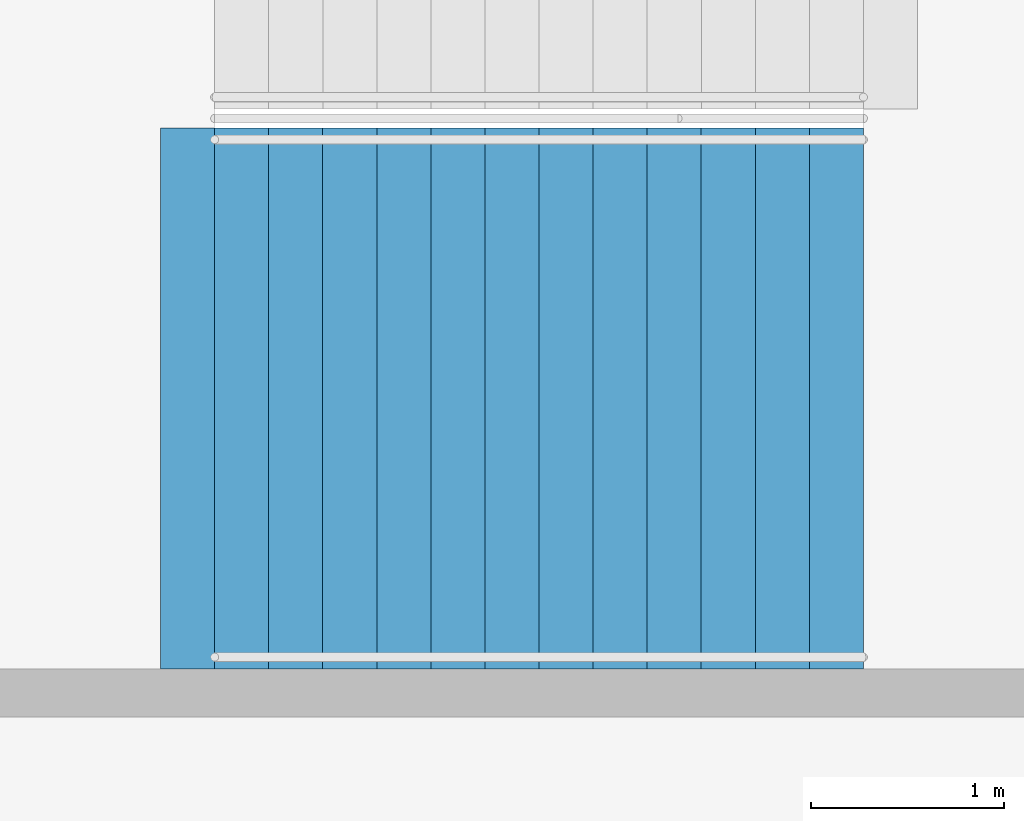
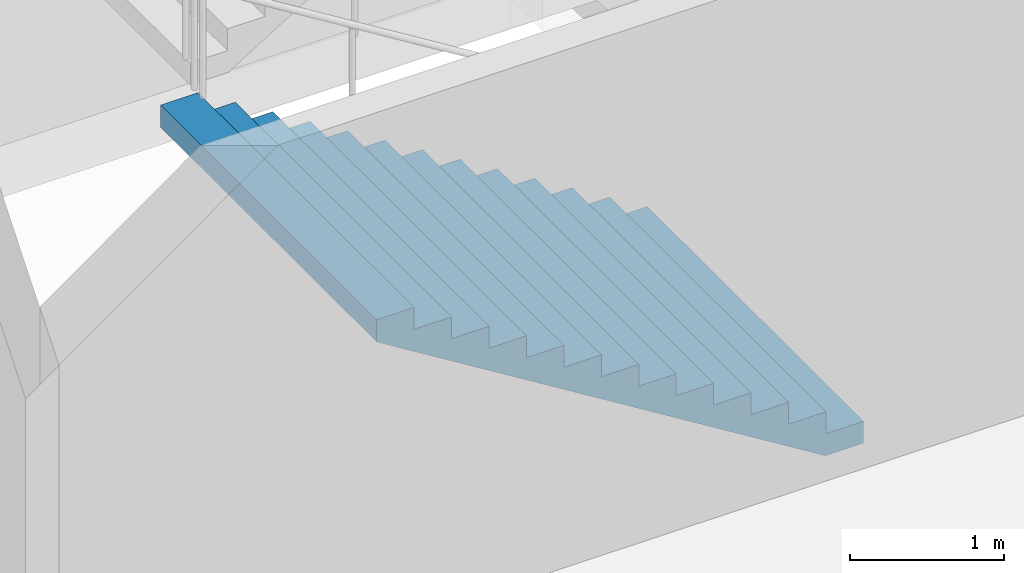
# One storey, part 127 of 199: 1 stair flight, 1 element without a shape of its own.
"""IFC4 building model written with IfcOpenShell, lengths in metres."""

import ifcopenshell
import ifcopenshell.guid

model = None  # the IFC model being written
_history = None  # IfcOwnerHistory: only IFC2X3 demands one
_inside = {}  # id of a spatial element -> (the spatial element, [elements in it])
_under = {}  # id of a project, library or spatial element -> (it, [spatial elements below it])
_declared = {}  # id of a project -> (the project, [libraries it declares])
_typed = {}  # id of a type object -> (the type object, [elements of that type])
_made_of = {}  # id of a material, layer set ... -> (it, [elements and type objects made of it])


def new_model(schema):
    """Start an empty IFC model of exactly this schema.

    Asked for "IFC4X3", IfcOpenShell would pick the latest addendum, in which some entities
    have other attributes; the version numbers below select the first issue.
    IFC2X3 requires an IfcOwnerHistory on every rooted entity: one is made here for all.
    """
    global model, _history
    if schema == "IFC4X3":
        model = ifcopenshell.file(schema_version=(4, 3, 0, 0))
    else:
        model = ifcopenshell.file(schema=schema)
    _inside.clear()
    _under.clear()
    _declared.clear()
    _typed.clear()
    _made_of.clear()
    _history = None
    if model.schema == "IFC2X3":
        org = make("IfcOrganization", Name="unknown")
        user = make(
            "IfcPersonAndOrganization",
            ThePerson=make("IfcPerson", FamilyName="unknown"),
            TheOrganization=org,
        )
        app = make(
            "IfcApplication",
            ApplicationDeveloper=org,
            Version="unknown",
            ApplicationFullName="unknown",
            ApplicationIdentifier="unknown",
        )
        _history = make(
            "IfcOwnerHistory",
            OwningUser=user,
            OwningApplication=app,
            ChangeAction="ADDED",
            CreationDate=0,
        )
    return model


def make(cls, **values):
    """One entity of the class cls with the attributes given. An attribute that is None is left unset."""
    return model.create_entity(
        cls, **{name: value for name, value in values.items() if value is not None}
    )


def rooted(cls, **values):
    """An entity with a GlobalId (a new one), such as an element, a storey or a relation."""
    return make(cls, GlobalId=ifcopenshell.guid.new(), OwnerHistory=_history, **values)


def si_unit(unit_type, name, prefix=None):
    """IfcSIUnit, for example si_unit("LENGTHUNIT", "METRE", prefix="MILLI")."""
    return make("IfcSIUnit", UnitType=unit_type, Prefix=prefix, Name=name)


def assignment(units):
    """IfcUnitAssignment: the units of a project."""
    return None if units is None else make("IfcUnitAssignment", Units=units)


def point(xyz):
    """IfcCartesianPoint."""
    return None if xyz is None else make("IfcCartesianPoint", Coordinates=xyz)


def direction(xyz):
    """IfcDirection."""
    return None if xyz is None else make("IfcDirection", DirectionRatios=xyz)


def frame(location, z_axis=None, x_axis=None):
    """IfcAxis2Placement3D, a coordinate frame: its origin and axes. An axis left out is left unset."""
    return make(
        "IfcAxis2Placement3D",
        Location=point(location),
        Axis=direction(z_axis),
        RefDirection=direction(x_axis),
    )


def origin():
    """The frame at (0, 0, 0) with its axes left unset."""
    return frame((0.0, 0.0, 0.0))


def place(relative_to, where):
    """IfcLocalPlacement: puts the frame where relative to a parent placement (None: the world)."""
    return make(
        "IfcLocalPlacement", PlacementRelTo=relative_to, RelativePlacement=where
    )


def context(
    kind, dimensions, precision=None, world=None, true_north=None, identifier=None
):
    """IfcGeometricRepresentationContext, for example the 3D "Model" context."""
    return make(
        "IfcGeometricRepresentationContext",
        ContextIdentifier=identifier,
        ContextType=kind,
        CoordinateSpaceDimension=dimensions,
        Precision=precision,
        WorldCoordinateSystem=world,
        TrueNorth=true_north,
    )


def subcontext(parent, identifier, kind, view, scale=None):
    """IfcGeometricRepresentationSubContext, for example "Body" below "Model"."""
    return make(
        "IfcGeometricRepresentationSubContext",
        ContextIdentifier=identifier,
        ContextType=kind,
        ParentContext=parent,
        TargetScale=scale,
        TargetView=view,
    )


def project(units=None, contexts=None):
    """IfcProject with its units and contexts."""
    return rooted(
        "IfcProject",
        Name="project",
        RepresentationContexts=contexts,
        UnitsInContext=assignment(units),
    )


def spatial(cls, under=None, at=None, **own):
    """A site, building, storey or space (cls), placed at a placement, below another one or the project."""
    s = rooted(cls, ObjectPlacement=at, **own)
    if under is not None:
        _under.setdefault(under.id(), (under, []))[1].append(s)
    return s


def faces_of(points, faces, orient=None, outer=None):
    """IfcFace entities. A face is a list of loops; a loop is a list of indices into points, from 0.

    orient and outer hold one flag for each loop. By default every Orientation is true, the
    first loop of a face is its IfcFaceOuterBound and the others are IfcFaceBound.
    """
    made = []
    for i, loops in enumerate(faces):
        bounds = []
        for j, loop in enumerate(loops):
            is_outer = j == 0 if outer is None else outer[i][j]
            bounds.append(
                make(
                    "IfcFaceOuterBound" if is_outer else "IfcFaceBound",
                    Bound=make("IfcPolyLoop", Polygon=[points[k] for k in loop]),
                    Orientation=True if orient is None else orient[i][j],
                )
            )
        made.append(make("IfcFace", Bounds=bounds))
    return made


def faceted_brep(points, faces, orient=None, outer=None, voids=None):
    """IfcFacetedBrep: a solid bounded by flat faces; with voids (closed shells), ...WithVoids."""
    shared = [point(p) for p in points]
    hull = make("IfcClosedShell", CfsFaces=faces_of(shared, faces, orient, outer))
    if voids is None:
        return make("IfcFacetedBrep", Outer=hull)
    return make(
        "IfcFacetedBrepWithVoids",
        Outer=hull,
        Voids=[
            make(cls, CfsFaces=faces_of(shared, fs, o, b)) for cls, fs, o, b in voids
        ],
    )


def shape(context_of_items, identifier, shape_type, items):
    """IfcShapeRepresentation: the items that make up one representation, for example the "Body"."""
    return make(
        "IfcShapeRepresentation",
        ContextOfItems=context_of_items,
        RepresentationIdentifier=identifier,
        RepresentationType=shape_type,
        Items=items,
    )


def material(Name=None, Category=None):
    """IfcMaterial."""
    return make("IfcMaterial", Name=Name, Category=Category)


def made_of(thing, what):
    """Note that an element or type object is made of a material, layer set ...; save() writes the relation."""
    if what is not None:
        _made_of.setdefault(what.id(), (what, []))[1].append(thing)
    return thing


def type_object(cls, material=None, **own):
    """A type object (cls), such as IfcWallType, which elements share."""
    return made_of(rooted(cls, **own), material)


def element(
    cls,
    number,
    at=None,
    inside=None,
    cuts=None,
    type_object=None,
    material=None,
    context=None,
    identifier="Body",
    shape_type=None,
    held_by="IfcProductDefinitionShape",
    body=None,
    shapes=None,
    **own,
):
    """One element of the class cls, such as IfcWall. Its Tag is "e" and its number.

    at: its placement. inside: the storey or other place that contains it. cuts: it is an
    opening in that element (IfcRelVoidsElement). A single representation is given by context,
    identifier, shape_type and body (its items); several are given by shapes. held_by: the class
    of the entity that holds the representations. save() writes the other relations.
    """
    e = rooted(cls, Tag="e%d" % number, ObjectPlacement=at, **own)
    if body is not None:
        shapes = [shape(context, identifier, shape_type, body)]
    if shapes is not None:
        e.Representation = make(held_by, Representations=shapes)
    if inside is not None:
        _inside.setdefault(inside.id(), (inside, []))[1].append(e)
    if cuts is not None:
        rooted(
            "IfcRelVoidsElement", RelatingBuildingElement=cuts, RelatedOpeningElement=e
        )
    if type_object is not None:
        _typed.setdefault(type_object.id(), (type_object, []))[1].append(e)
    return made_of(e, material)


def aggregate(whole, parts):
    """IfcRelAggregates: a whole, such as a stair, and the parts it consists of."""
    return rooted("IfcRelAggregates", RelatingObject=whole, RelatedObjects=parts)


def save(model, path):
    """Write the relations noted so far, then the file.

    IfcRelAggregates (storeys below a building ...), IfcRelContainedInSpatialStructure (elements
    in a storey), IfcRelDefinesByType, IfcRelAssociatesMaterial and IfcRelDeclares: one each for
    every whole, place, type object, material and project.
    """
    for whole, parts in _under.values():
        aggregate(whole, parts)
    for where, things in _inside.values():
        rooted(
            "IfcRelContainedInSpatialStructure",
            RelatedElements=things,
            RelatingStructure=where,
        )
    for kind, things in _typed.values():
        rooted("IfcRelDefinesByType", RelatedObjects=things, RelatingType=kind)
    for what, things in _made_of.values():
        rooted("IfcRelAssociatesMaterial", RelatedObjects=things, RelatingMaterial=what)
    for by, libraries in _declared.values():
        rooted("IfcRelDeclares", RelatingContext=by, RelatedDefinitions=libraries)
    model.write(path)


model = new_model("IFC4")

# Units and contexts
model_context = context("Model", 3, precision=1e-05, world=origin(), true_north=direction((0.0, 1.0)))
body_context = subcontext(model_context, "Body", "Model", "MODEL_VIEW")
ifc_project = project(units=[si_unit("LENGTHUNIT", "METRE"), si_unit("AREAUNIT", "SQUARE_METRE"), si_unit("VOLUMEUNIT", "CUBIC_METRE"), si_unit("PLANEANGLEUNIT", "RADIAN"), si_unit("MASSUNIT", "GRAM", prefix="KILO")], contexts=[model_context])

# Site, building, storey
site_placement = place(None, origin())
site = spatial("IfcSite", under=ifc_project, at=site_placement, CompositionType="ELEMENT")
building_placement = place(site_placement, origin())
building = spatial("IfcBuilding", under=site, at=building_placement, Name="Ogive Plaza Stadium", CompositionType="ELEMENT")
storey_placement = place(building_placement, frame((0.0, 0.0, 9.0)))
storey = spatial("IfcBuildingStorey", under=building, at=storey_placement, Name="L02", CompositionType="ELEMENT", Elevation=9.0)

# Stair, stair flight
ifc_material_1 = material(Name="Concrete C40/50", Category="concrete")
stair_type = type_object("IfcStairType", Name="Exit stair", PredefinedType="STRAIGHT_RUN_STAIR", material=ifc_material_1)
stair_placement = place(storey_placement, origin())
stair = element("IfcStair", 1, at=stair_placement, inside=storey, type_object=stair_type, Name="Exit stair ST24B L02 to L03", PredefinedType="STRAIGHT_RUN_STAIR")
ifc_material_2 = material(Name="Concrete C40/50", Category="concrete")
stair_flight_type = type_object("IfcStairFlightType", Name="Exit stair flight", PredefinedType="STRAIGHT", material=ifc_material_2)
stair_flight_placement = place(storey_placement, frame((-76.35009765625, -11.925048828125, 0.0), z_axis=(0.0, 0.0, 1.0), x_axis=(-1.0, 0.0, 0.0)))
stair_flight = element("IfcStairFlight", 2, at=stair_flight_placement, type_object=stair_flight_type, Name="ST24B flight 1", NumberOfRisers=13, NumberOfTreads=12, PredefinedType="STRAIGHT", RiserHeight=0.173076923, TreadLength=0.28, context=body_context, shape_type="Brep", body=[
    faceted_brep([(0.28515625, -1.39990234375, 0.0), (3.639892578125, -1.39990234375, 2.07373046875), (3.639892578125, -1.39990234375, 2.25), (3.360107421875, -1.39990234375, 2.25), (3.360107421875, -1.39990234375, 2.076904296875), (3.080078125, -1.39990234375, 2.076904296875), (3.080078125, -1.39990234375, 1.90380859375), (2.800048828125, -1.39990234375, 1.90380859375), (2.800048828125, -1.39990234375, 1.730712890625), (2.52001953125, -1.39990234375, 1.730712890625), (2.52001953125, -1.39990234375, 1.5576171875), (2.239990234375, -1.39990234375, 1.5576171875), (2.239990234375, -1.39990234375, 1.384521484375), (1.9599609375, -1.39990234375, 1.384521484375), (1.9599609375, -1.39990234375, 1.21142578125), (1.679931640625, -1.39990234375, 1.21142578125), (1.679931640625, -1.39990234375, 1.03857421875), (1.39990234375, -1.39990234375, 1.03857421875), (1.39990234375, -1.39990234375, 0.865478515625), (1.1201171875, -1.39990234375, 0.865478515625), (1.1201171875, -1.39990234375, 0.6923828125), (0.840087890625, -1.39990234375, 0.6923828125), (0.840087890625, -1.39990234375, 0.519287109375), (0.56005859375, -1.39990234375, 0.519287109375), (0.56005859375, -1.39990234375, 0.34619140625), (0.280029296875, -1.39990234375, 0.34619140625), (0.280029296875, -1.39990234375, 0.173095703125), (0.0, -1.39990234375, 0.173095703125), (0.0, -1.39990234375, 0.0), (0.0, 1.39990234375, 0.0), (0.0, 1.39990234375, 0.173095703125), (0.280029296875, 1.39990234375, 0.173095703125), (0.280029296875, 1.39990234375, 0.34619140625), (0.56005859375, 1.39990234375, 0.34619140625), (0.56005859375, 1.39990234375, 0.519287109375), (0.840087890625, 1.39990234375, 0.519287109375), (0.840087890625, 1.39990234375, 0.6923828125), (1.1201171875, 1.39990234375, 0.6923828125), (1.1201171875, 1.39990234375, 0.865478515625), (1.39990234375, 1.39990234375, 0.865478515625), (1.39990234375, 1.39990234375, 1.03857421875), (1.679931640625, 1.39990234375, 1.03857421875), (1.679931640625, 1.39990234375, 1.21142578125), (1.9599609375, 1.39990234375, 1.21142578125), (1.9599609375, 1.39990234375, 1.384521484375), (2.239990234375, 1.39990234375, 1.384521484375), (2.239990234375, 1.39990234375, 1.5576171875), (2.52001953125, 1.39990234375, 1.5576171875), (2.52001953125, 1.39990234375, 1.730712890625), (2.800048828125, 1.39990234375, 1.730712890625), (2.800048828125, 1.39990234375, 1.90380859375), (3.080078125, 1.39990234375, 1.90380859375), (3.080078125, 1.39990234375, 2.076904296875), (3.360107421875, 1.39990234375, 2.076904296875), (3.360107421875, 1.39990234375, 2.25), (3.639892578125, 1.39990234375, 2.25), (3.639892578125, 1.39990234375, 2.07373046875), (0.28515625, 1.39990234375, 0.0), (0.28515625, -1.0888671875, 0.0), (3.639892578125, -1.0888671875, 2.07373046875), (0.28515625, -0.77783203125, 0.0), (3.639892578125, -0.77783203125, 2.07373046875), (0.28515625, -0.466796875, 0.0), (3.639892578125, -0.466796875, 2.07373046875), (0.28515625, -0.155517578125, 0.0), (3.639892578125, -0.155517578125, 2.07373046875), (0.28515625, 0.155517578125, 0.0), (3.639892578125, 0.155517578125, 2.07373046875), (0.28515625, 0.466796875, 0.0), (3.639892578125, 0.466796875, 2.07373046875), (0.28515625, 0.77783203125, 0.0), (3.639892578125, 0.77783203125, 2.07373046875), (0.28515625, 1.0888671875, 0.0), (3.639892578125, 1.0888671875, 2.07373046875), (3.639892578125, -1.0888671875, 2.25), (3.639892578125, -0.77783203125, 2.25), (3.639892578125, -0.466796875, 2.25), (3.639892578125, -0.155517578125, 2.25), (3.639892578125, 0.155517578125, 2.25), (3.639892578125, 0.466796875, 2.25), (3.639892578125, 0.77783203125, 2.25), (3.639892578125, 1.0888671875, 2.25), (3.360107421875, -1.0888671875, 2.25), (3.360107421875, -0.77783203125, 2.25), (3.360107421875, -0.466796875, 2.25), (3.360107421875, -0.155517578125, 2.25), (3.360107421875, 0.155517578125, 2.25), (3.360107421875, 0.466796875, 2.25), (3.360107421875, 0.77783203125, 2.25), (3.360107421875, 1.0888671875, 2.25), (3.360107421875, -1.0888671875, 2.076904296875), (3.360107421875, -0.77783203125, 2.076904296875), (3.360107421875, -0.466796875, 2.076904296875), (3.360107421875, -0.155517578125, 2.076904296875), (3.360107421875, 0.155517578125, 2.076904296875), (3.360107421875, 0.466796875, 2.076904296875), (3.360107421875, 0.77783203125, 2.076904296875), (3.360107421875, 1.0888671875, 2.076904296875), (3.080078125, -1.0888671875, 2.076904296875), (3.080078125, -0.77783203125, 2.076904296875), (3.080078125, -0.466796875, 2.076904296875), (3.080078125, -0.155517578125, 2.076904296875), (3.080078125, 0.155517578125, 2.076904296875), (3.080078125, 0.466796875, 2.076904296875), (3.080078125, 0.77783203125, 2.076904296875), (3.080078125, 1.0888671875, 2.076904296875), (3.080078125, -1.0888671875, 1.90380859375), (3.080078125, -0.77783203125, 1.90380859375), (3.080078125, -0.466796875, 1.90380859375), (3.080078125, -0.155517578125, 1.90380859375), (3.080078125, 0.155517578125, 1.90380859375), (3.080078125, 0.466796875, 1.90380859375), (3.080078125, 0.77783203125, 1.90380859375), (3.080078125, 1.0888671875, 1.90380859375), (2.800048828125, -1.0888671875, 1.90380859375), (2.800048828125, -0.77783203125, 1.90380859375), (2.800048828125, -0.466796875, 1.90380859375), (2.800048828125, -0.155517578125, 1.90380859375), (2.800048828125, 0.155517578125, 1.90380859375), (2.800048828125, 0.466796875, 1.90380859375), (2.800048828125, 0.77783203125, 1.90380859375), (2.800048828125, 1.0888671875, 1.90380859375), (2.800048828125, -1.0888671875, 1.730712890625), (2.800048828125, -0.77783203125, 1.730712890625), (2.800048828125, -0.466796875, 1.730712890625), (2.800048828125, -0.155517578125, 1.730712890625), (2.800048828125, 0.155517578125, 1.730712890625), (2.800048828125, 0.466796875, 1.730712890625), (2.800048828125, 0.77783203125, 1.730712890625), (2.800048828125, 1.0888671875, 1.730712890625), (2.52001953125, -1.0888671875, 1.730712890625), (2.52001953125, -0.77783203125, 1.730712890625), (2.52001953125, -0.466796875, 1.730712890625), (2.52001953125, -0.155517578125, 1.730712890625), (2.52001953125, 0.155517578125, 1.730712890625), (2.52001953125, 0.466796875, 1.730712890625), (2.52001953125, 0.77783203125, 1.730712890625), (2.52001953125, 1.0888671875, 1.730712890625), (2.52001953125, -1.0888671875, 1.5576171875), (2.52001953125, -0.77783203125, 1.5576171875), (2.52001953125, -0.466796875, 1.5576171875), (2.52001953125, -0.155517578125, 1.5576171875), (2.52001953125, 0.155517578125, 1.5576171875), (2.52001953125, 0.466796875, 1.5576171875), (2.52001953125, 0.77783203125, 1.5576171875), (2.52001953125, 1.0888671875, 1.5576171875), (2.239990234375, -1.0888671875, 1.5576171875), (2.239990234375, -0.77783203125, 1.5576171875), (2.239990234375, -0.466796875, 1.5576171875), (2.239990234375, -0.155517578125, 1.5576171875), (2.239990234375, 0.155517578125, 1.5576171875), (2.239990234375, 0.466796875, 1.5576171875), (2.239990234375, 0.77783203125, 1.5576171875), (2.239990234375, 1.0888671875, 1.5576171875), (2.239990234375, -1.0888671875, 1.384521484375), (2.239990234375, -0.77783203125, 1.384521484375), (2.239990234375, -0.466796875, 1.384521484375), (2.239990234375, -0.155517578125, 1.384521484375), (2.239990234375, 0.155517578125, 1.384521484375), (2.239990234375, 0.466796875, 1.384521484375), (2.239990234375, 0.77783203125, 1.384521484375), (2.239990234375, 1.0888671875, 1.384521484375), (1.9599609375, -1.0888671875, 1.384521484375), (1.9599609375, -0.77783203125, 1.384521484375), (1.9599609375, -0.466796875, 1.384521484375), (1.9599609375, -0.155517578125, 1.384521484375), (1.9599609375, 0.155517578125, 1.384521484375), (1.9599609375, 0.466796875, 1.384521484375), (1.9599609375, 0.77783203125, 1.384521484375), (1.9599609375, 1.0888671875, 1.384521484375), (1.9599609375, -1.0888671875, 1.21142578125), (1.9599609375, -0.77783203125, 1.21142578125), (1.9599609375, -0.466796875, 1.21142578125), (1.9599609375, -0.155517578125, 1.21142578125), (1.9599609375, 0.155517578125, 1.21142578125), (1.9599609375, 0.466796875, 1.21142578125), (1.9599609375, 0.77783203125, 1.21142578125), (1.9599609375, 1.0888671875, 1.21142578125), (1.679931640625, -1.0888671875, 1.21142578125), (1.679931640625, -0.77783203125, 1.21142578125), (1.679931640625, -0.466796875, 1.21142578125), (1.679931640625, -0.155517578125, 1.21142578125), (1.679931640625, 0.155517578125, 1.21142578125), (1.679931640625, 0.466796875, 1.21142578125), (1.679931640625, 0.77783203125, 1.21142578125), (1.679931640625, 1.0888671875, 1.21142578125), (1.679931640625, -1.0888671875, 1.03857421875), (1.679931640625, -0.77783203125, 1.03857421875), (1.679931640625, -0.466796875, 1.03857421875), (1.679931640625, -0.155517578125, 1.03857421875), (1.679931640625, 0.155517578125, 1.03857421875), (1.679931640625, 0.466796875, 1.03857421875), (1.679931640625, 0.77783203125, 1.03857421875), (1.679931640625, 1.0888671875, 1.03857421875), (1.39990234375, -1.0888671875, 1.03857421875), (1.39990234375, -0.77783203125, 1.03857421875), (1.39990234375, -0.466796875, 1.03857421875), (1.39990234375, -0.155517578125, 1.03857421875), (1.39990234375, 0.155517578125, 1.03857421875), (1.39990234375, 0.466796875, 1.03857421875), (1.39990234375, 0.77783203125, 1.03857421875), (1.39990234375, 1.0888671875, 1.03857421875), (1.39990234375, -1.0888671875, 0.865478515625), (1.39990234375, -0.77783203125, 0.865478515625), (1.39990234375, -0.466796875, 0.865478515625), (1.39990234375, -0.155517578125, 0.865478515625), (1.39990234375, 0.155517578125, 0.865478515625), (1.39990234375, 0.466796875, 0.865478515625), (1.39990234375, 0.77783203125, 0.865478515625), (1.39990234375, 1.0888671875, 0.865478515625), (1.1201171875, -1.0888671875, 0.865478515625), (1.1201171875, -0.77783203125, 0.865478515625), (1.1201171875, -0.466796875, 0.865478515625), (1.1201171875, -0.155517578125, 0.865478515625), (1.1201171875, 0.155517578125, 0.865478515625), (1.1201171875, 0.466796875, 0.865478515625), (1.1201171875, 0.77783203125, 0.865478515625), (1.1201171875, 1.0888671875, 0.865478515625), (1.1201171875, -1.0888671875, 0.6923828125), (1.1201171875, -0.77783203125, 0.6923828125), (1.1201171875, -0.466796875, 0.6923828125), (1.1201171875, -0.155517578125, 0.6923828125), (1.1201171875, 0.155517578125, 0.6923828125), (1.1201171875, 0.466796875, 0.6923828125), (1.1201171875, 0.77783203125, 0.6923828125), (1.1201171875, 1.0888671875, 0.6923828125), (0.840087890625, -1.0888671875, 0.6923828125), (0.840087890625, -0.77783203125, 0.6923828125), (0.840087890625, -0.466796875, 0.6923828125), (0.840087890625, -0.155517578125, 0.6923828125), (0.840087890625, 0.155517578125, 0.6923828125), (0.840087890625, 0.466796875, 0.6923828125), (0.840087890625, 0.77783203125, 0.6923828125), (0.840087890625, 1.0888671875, 0.6923828125), (0.840087890625, -1.0888671875, 0.519287109375), (0.840087890625, -0.77783203125, 0.519287109375), (0.840087890625, -0.466796875, 0.519287109375), (0.840087890625, -0.155517578125, 0.519287109375), (0.840087890625, 0.155517578125, 0.519287109375), (0.840087890625, 0.466796875, 0.519287109375), (0.840087890625, 0.77783203125, 0.519287109375), (0.840087890625, 1.0888671875, 0.519287109375), (0.56005859375, -1.0888671875, 0.519287109375), (0.56005859375, -0.77783203125, 0.519287109375), (0.56005859375, -0.466796875, 0.519287109375), (0.56005859375, -0.155517578125, 0.519287109375), (0.56005859375, 0.155517578125, 0.519287109375), (0.56005859375, 0.466796875, 0.519287109375), (0.56005859375, 0.77783203125, 0.519287109375), (0.56005859375, 1.0888671875, 0.519287109375), (0.56005859375, -1.0888671875, 0.34619140625), (0.56005859375, -0.77783203125, 0.34619140625), (0.56005859375, -0.466796875, 0.34619140625), (0.56005859375, -0.155517578125, 0.34619140625), (0.56005859375, 0.155517578125, 0.34619140625), (0.56005859375, 0.466796875, 0.34619140625), (0.56005859375, 0.77783203125, 0.34619140625), (0.56005859375, 1.0888671875, 0.34619140625), (0.280029296875, -1.0888671875, 0.34619140625), (0.280029296875, -0.77783203125, 0.34619140625), (0.280029296875, -0.466796875, 0.34619140625), (0.280029296875, -0.155517578125, 0.34619140625), (0.280029296875, 0.155517578125, 0.34619140625), (0.280029296875, 0.466796875, 0.34619140625), (0.280029296875, 0.77783203125, 0.34619140625), (0.280029296875, 1.0888671875, 0.34619140625), (0.280029296875, -1.0888671875, 0.173095703125), (0.280029296875, -0.77783203125, 0.173095703125), (0.280029296875, -0.466796875, 0.173095703125), (0.280029296875, -0.155517578125, 0.173095703125), (0.280029296875, 0.155517578125, 0.173095703125), (0.280029296875, 0.466796875, 0.173095703125), (0.280029296875, 0.77783203125, 0.173095703125), (0.280029296875, 1.0888671875, 0.173095703125), (0.0, -1.0888671875, 0.173095703125), (0.0, -0.77783203125, 0.173095703125), (0.0, -0.466796875, 0.173095703125), (0.0, -0.155517578125, 0.173095703125), (0.0, 0.155517578125, 0.173095703125), (0.0, 0.466796875, 0.173095703125), (0.0, 0.77783203125, 0.173095703125), (0.0, 1.0888671875, 0.173095703125), (0.0, -1.0888671875, 0.0), (0.0, -0.77783203125, 0.0), (0.0, -0.466796875, 0.0), (0.0, -0.155517578125, 0.0), (0.0, 0.155517578125, 0.0), (0.0, 0.466796875, 0.0), (0.0, 0.77783203125, 0.0), (0.0, 1.0888671875, 0.0)], [[[0, 1, 2, 3, 4, 5, 6, 7, 8, 9, 10, 11, 12, 13, 14, 15, 16, 17, 18, 19, 20, 21, 22, 23, 24, 25, 26, 27, 28]], [[29, 30, 31, 32, 33, 34, 35, 36, 37, 38, 39, 40, 41, 42, 43, 44, 45, 46, 47, 48, 49, 50, 51, 52, 53, 54, 55, 56, 57]], [[0, 58, 59, 1]], [[58, 60, 61, 59]], [[60, 62, 63, 61]], [[62, 64, 65, 63]], [[64, 66, 67, 65]], [[66, 68, 69, 67]], [[68, 70, 71, 69]], [[70, 72, 73, 71]], [[72, 57, 56, 73]], [[1, 59, 74, 2]], [[59, 61, 75, 74]], [[61, 63, 76, 75]], [[63, 65, 77, 76]], [[65, 67, 78, 77]], [[67, 69, 79, 78]], [[69, 71, 80, 79]], [[71, 73, 81, 80]], [[73, 56, 55, 81]], [[2, 74, 82, 3]], [[74, 75, 83, 82]], [[75, 76, 84, 83]], [[76, 77, 85, 84]], [[77, 78, 86, 85]], [[78, 79, 87, 86]], [[79, 80, 88, 87]], [[80, 81, 89, 88]], [[81, 55, 54, 89]], [[3, 82, 90, 4]], [[82, 83, 91, 90]], [[83, 84, 92, 91]], [[84, 85, 93, 92]], [[85, 86, 94, 93]], [[86, 87, 95, 94]], [[87, 88, 96, 95]], [[88, 89, 97, 96]], [[89, 54, 53, 97]], [[4, 90, 98, 5]], [[90, 91, 99, 98]], [[91, 92, 100, 99]], [[92, 93, 101, 100]], [[93, 94, 102, 101]], [[94, 95, 103, 102]], [[95, 96, 104, 103]], [[96, 97, 105, 104]], [[97, 53, 52, 105]], [[5, 98, 106, 6]], [[98, 99, 107, 106]], [[99, 100, 108, 107]], [[100, 101, 109, 108]], [[101, 102, 110, 109]], [[102, 103, 111, 110]], [[103, 104, 112, 111]], [[104, 105, 113, 112]], [[105, 52, 51, 113]], [[6, 106, 114, 7]], [[106, 107, 115, 114]], [[107, 108, 116, 115]], [[108, 109, 117, 116]], [[109, 110, 118, 117]], [[110, 111, 119, 118]], [[111, 112, 120, 119]], [[112, 113, 121, 120]], [[113, 51, 50, 121]], [[7, 114, 122, 8]], [[114, 115, 123, 122]], [[115, 116, 124, 123]], [[116, 117, 125, 124]], [[117, 118, 126, 125]], [[118, 119, 127, 126]], [[119, 120, 128, 127]], [[120, 121, 129, 128]], [[121, 50, 49, 129]], [[8, 122, 130, 9]], [[122, 123, 131, 130]], [[123, 124, 132, 131]], [[124, 125, 133, 132]], [[125, 126, 134, 133]], [[126, 127, 135, 134]], [[127, 128, 136, 135]], [[128, 129, 137, 136]], [[129, 49, 48, 137]], [[9, 130, 138, 10]], [[130, 131, 139, 138]], [[131, 132, 140, 139]], [[132, 133, 141, 140]], [[133, 134, 142, 141]], [[134, 135, 143, 142]], [[135, 136, 144, 143]], [[136, 137, 145, 144]], [[137, 48, 47, 145]], [[10, 138, 146, 11]], [[138, 139, 147, 146]], [[139, 140, 148, 147]], [[140, 141, 149, 148]], [[141, 142, 150, 149]], [[142, 143, 151, 150]], [[143, 144, 152, 151]], [[144, 145, 153, 152]], [[145, 47, 46, 153]], [[11, 146, 154, 12]], [[146, 147, 155, 154]], [[147, 148, 156, 155]], [[148, 149, 157, 156]], [[149, 150, 158, 157]], [[150, 151, 159, 158]], [[151, 152, 160, 159]], [[152, 153, 161, 160]], [[153, 46, 45, 161]], [[12, 154, 162, 13]], [[154, 155, 163, 162]], [[155, 156, 164, 163]], [[156, 157, 165, 164]], [[157, 158, 166, 165]], [[158, 159, 167, 166]], [[159, 160, 168, 167]], [[160, 161, 169, 168]], [[161, 45, 44, 169]], [[13, 162, 170, 14]], [[162, 163, 171, 170]], [[163, 164, 172, 171]], [[164, 165, 173, 172]], [[165, 166, 174, 173]], [[166, 167, 175, 174]], [[167, 168, 176, 175]], [[168, 169, 177, 176]], [[169, 44, 43, 177]], [[14, 170, 178, 15]], [[170, 171, 179, 178]], [[171, 172, 180, 179]], [[172, 173, 181, 180]], [[173, 174, 182, 181]], [[174, 175, 183, 182]], [[175, 176, 184, 183]], [[176, 177, 185, 184]], [[177, 43, 42, 185]], [[15, 178, 186, 16]], [[178, 179, 187, 186]], [[179, 180, 188, 187]], [[180, 181, 189, 188]], [[181, 182, 190, 189]], [[182, 183, 191, 190]], [[183, 184, 192, 191]], [[184, 185, 193, 192]], [[185, 42, 41, 193]], [[16, 186, 194, 17]], [[186, 187, 195, 194]], [[187, 188, 196, 195]], [[188, 189, 197, 196]], [[189, 190, 198, 197]], [[190, 191, 199, 198]], [[191, 192, 200, 199]], [[192, 193, 201, 200]], [[193, 41, 40, 201]], [[17, 194, 202, 18]], [[194, 195, 203, 202]], [[195, 196, 204, 203]], [[196, 197, 205, 204]], [[197, 198, 206, 205]], [[198, 199, 207, 206]], [[199, 200, 208, 207]], [[200, 201, 209, 208]], [[201, 40, 39, 209]], [[18, 202, 210, 19]], [[202, 203, 211, 210]], [[203, 204, 212, 211]], [[204, 205, 213, 212]], [[205, 206, 214, 213]], [[206, 207, 215, 214]], [[207, 208, 216, 215]], [[208, 209, 217, 216]], [[209, 39, 38, 217]], [[19, 210, 218, 20]], [[210, 211, 219, 218]], [[211, 212, 220, 219]], [[212, 213, 221, 220]], [[213, 214, 222, 221]], [[214, 215, 223, 222]], [[215, 216, 224, 223]], [[216, 217, 225, 224]], [[217, 38, 37, 225]], [[20, 218, 226, 21]], [[218, 219, 227, 226]], [[219, 220, 228, 227]], [[220, 221, 229, 228]], [[221, 222, 230, 229]], [[222, 223, 231, 230]], [[223, 224, 232, 231]], [[224, 225, 233, 232]], [[225, 37, 36, 233]], [[21, 226, 234, 22]], [[226, 227, 235, 234]], [[227, 228, 236, 235]], [[228, 229, 237, 236]], [[229, 230, 238, 237]], [[230, 231, 239, 238]], [[231, 232, 240, 239]], [[232, 233, 241, 240]], [[233, 36, 35, 241]], [[22, 234, 242, 23]], [[234, 235, 243, 242]], [[235, 236, 244, 243]], [[236, 237, 245, 244]], [[237, 238, 246, 245]], [[238, 239, 247, 246]], [[239, 240, 248, 247]], [[240, 241, 249, 248]], [[241, 35, 34, 249]], [[23, 242, 250, 24]], [[242, 243, 251, 250]], [[243, 244, 252, 251]], [[244, 245, 253, 252]], [[245, 246, 254, 253]], [[246, 247, 255, 254]], [[247, 248, 256, 255]], [[248, 249, 257, 256]], [[249, 34, 33, 257]], [[24, 250, 258, 25]], [[250, 251, 259, 258]], [[251, 252, 260, 259]], [[252, 253, 261, 260]], [[253, 254, 262, 261]], [[254, 255, 263, 262]], [[255, 256, 264, 263]], [[256, 257, 265, 264]], [[257, 33, 32, 265]], [[25, 258, 266, 26]], [[258, 259, 267, 266]], [[259, 260, 268, 267]], [[260, 261, 269, 268]], [[261, 262, 270, 269]], [[262, 263, 271, 270]], [[263, 264, 272, 271]], [[264, 265, 273, 272]], [[265, 32, 31, 273]], [[26, 266, 274, 27]], [[266, 267, 275, 274]], [[267, 268, 276, 275]], [[268, 269, 277, 276]], [[269, 270, 278, 277]], [[270, 271, 279, 278]], [[271, 272, 280, 279]], [[272, 273, 281, 280]], [[273, 31, 30, 281]], [[27, 274, 282, 28]], [[274, 275, 283, 282]], [[275, 276, 284, 283]], [[276, 277, 285, 284]], [[277, 278, 286, 285]], [[278, 279, 287, 286]], [[279, 280, 288, 287]], [[280, 281, 289, 288]], [[281, 30, 29, 289]], [[28, 282, 58, 0]], [[282, 283, 60, 58]], [[283, 284, 62, 60]], [[284, 285, 64, 62]], [[285, 286, 66, 64]], [[286, 287, 68, 66]], [[287, 288, 70, 68]], [[288, 289, 72, 70]], [[289, 29, 57, 72]]]),
])
aggregate(stair, [stair_flight])

save(model, "model.ifc")
